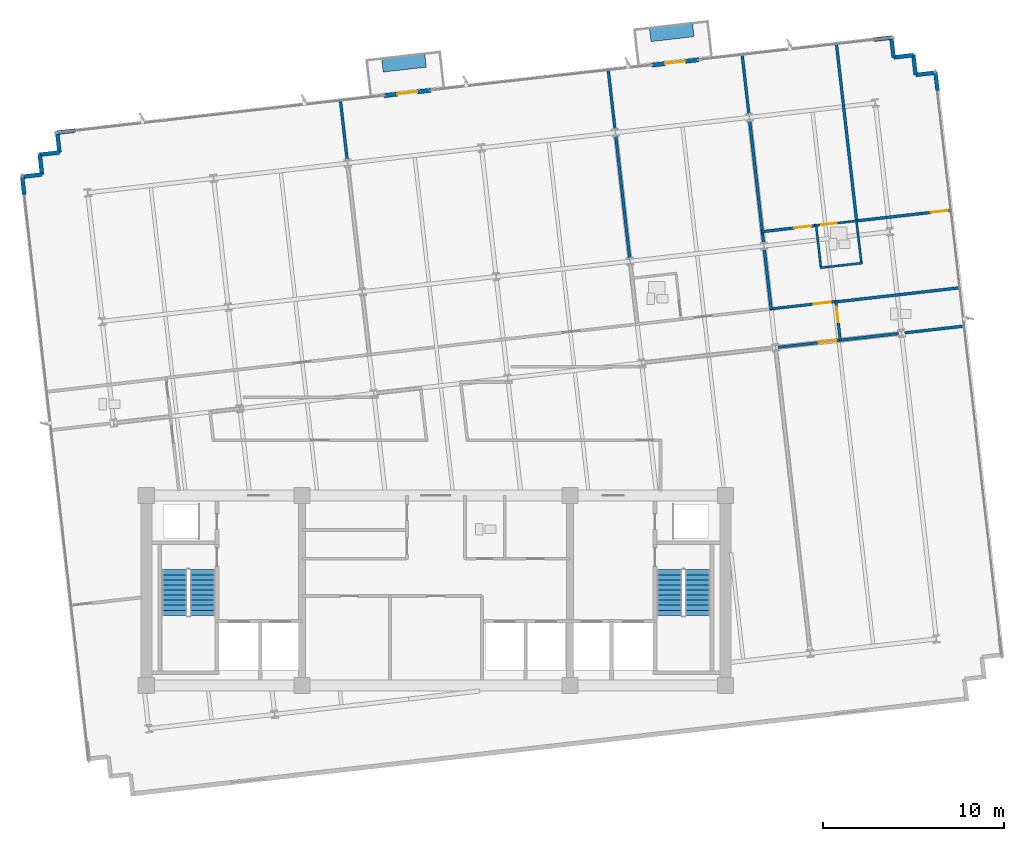
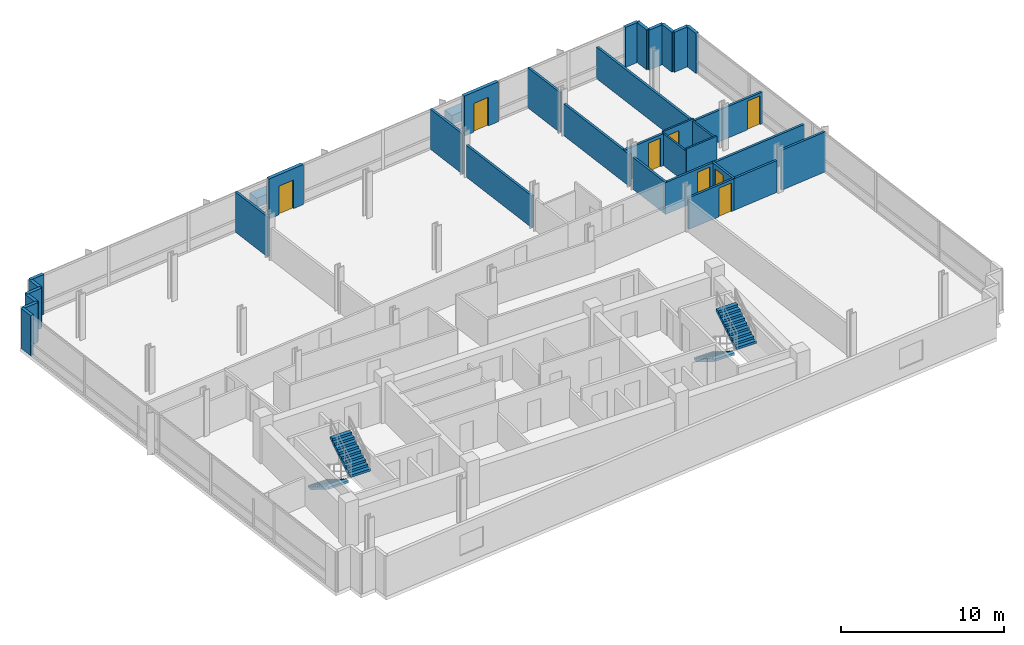
# One storey, part 10 of 14: 33 walls, 8 doors, 4 stair flights, 2 discrete accessories, 8 openings, 2 elements without a shape of their own.
"""IFC4 building model written with IfcOpenShell, lengths in metres."""

from ifc_helpers import new_model, si_unit, direction, frame, frame_2d, origin, origin_2d, place, context, subcontext, project, spatial, polyline, rectangle, outline, extrude, material, layer, layer_set, type_object, element, fill, aggregate, save


model = new_model("IFC4")

# Units and contexts
model_context = context("Model", 3, precision=1e-05, world=origin(), true_north=direction((0.0, 1.0)))
body_context = subcontext(model_context, "Body", "Model", "MODEL_VIEW")
ifc_project = project(units=[si_unit("LENGTHUNIT", "METRE"), si_unit("AREAUNIT", "SQUARE_METRE"), si_unit("VOLUMEUNIT", "CUBIC_METRE"), si_unit("PLANEANGLEUNIT", "RADIAN"), si_unit("MASSUNIT", "GRAM", prefix="KILO")], contexts=[model_context])

# Site, building, storey
site_placement = place(None, origin())
site = spatial("IfcSite", under=ifc_project, at=site_placement, CompositionType="ELEMENT")
building_placement = place(site_placement, origin())
building = spatial("IfcBuilding", under=site, at=building_placement, Name="Solmavex Isthmus Hotel", CompositionType="ELEMENT")
storey_placement = place(building_placement, frame((0.0, 0.0, 236.550048828125)))
storey = spatial("IfcBuildingStorey", under=building, at=storey_placement, Name="L64", CompositionType="ELEMENT", Elevation=236.550048828125)

# Wall, opening, door
ifc_material_1 = material(Name="Precast Concrete C40/50", Category="concrete")
ifc_layer_1 = layer(ifc_material_1, 0.25)
ifc_layer_set_1 = layer_set([ifc_layer_1], Name="Precast Concrete C40/50")
wall_type_1 = type_object("IfcWallType", Name="EW-TWR-250", PredefinedType="STANDARD", material=ifc_layer_set_1)
wall_1_placement = place(storey_placement, frame((-2.871337890625, 19.59326171875, 0.0), z_axis=(0.0, 0.0, 1.0), x_axis=(0.993577691497, 0.113151981689, 0.0)))
wall_1 = element("IfcWall", 1, at=wall_1_placement, inside=storey, type_object=wall_type_1, Name="Exterior Balcony Door Wall L64-2", PredefinedType="STANDARD", context=body_context, shape_type="SweptSolid", body=[
    extrude(rectangle(XDim=2.599853515625, YDim=0.239990234375, at=frame_2d((1.2998046875, 0.0))), origin(), (0.0, 0.0, 1.0), 3.0),
])
opening_1_placement = place(wall_1_placement, frame((0.75, 0.0, 0.0)))
opening_1 = element("IfcOpeningElement", 2, at=opening_1_placement, cuts=wall_1, Name="Opening ED-02", PredefinedType="OPENING", context=body_context, shape_type="SweptSolid", body=[
    extrude(rectangle(XDim=1.10009765625, YDim=2.14990234375, at=frame_2d((0.550048828125, 1.074951171875))), frame((0.0, 0.1298828125, 0.0), z_axis=(0.0, -1.0, 0.0), x_axis=(1.0, 0.0, 0.0)), (0.0, 0.0, 1.0), 0.260009765625),
])
ifc_material_2 = material(Name="Aluminium alloy 6063-T6", Category="aluminium")
door_type_1 = type_object("IfcDoorType", Name="EDR-BALC-1100", OperationType="NOTDEFINED", PredefinedType="DOOR", material=ifc_material_2)
door_1_placement = place(opening_1_placement, origin())
door_1 = element("IfcDoor", 3, at=door_1_placement, inside=storey, type_object=door_type_1, Name="Balcony & Terrace Glazed Door L64-2", OperationType="SINGLE_SWING_RIGHT", OverallHeight=2.14990234375, OverallWidth=1.10009765625, PredefinedType="DOOR", context=body_context, shape_type="SweptSolid", body=[
    extrude(rectangle(XDim=1.10009765625, YDim=2.14990234375, at=frame_2d((0.550048828125, 1.074951171875))), frame((0.0, 0.02490234375, 0.0), z_axis=(0.0, -1.0, 0.0), x_axis=(1.0, 0.0, 0.0)), (0.0, 0.0, 1.0), 0.050048828125),
])
fill(opening_1, door_1)

wall_2_placement = place(storey_placement, frame((11.9248046875, 21.279052734375, 0.0), z_axis=(0.0, 0.0, 1.0), x_axis=(0.993567130319, 0.113244680008, 0.0)))
wall_2 = element("IfcWall", 4, at=wall_2_placement, inside=storey, type_object=wall_type_1, Name="Exterior Balcony Door Wall L64-3", PredefinedType="STANDARD", context=body_context, shape_type="SweptSolid", body=[
    extrude(rectangle(XDim=2.60009765625, YDim=0.239990234375, at=frame_2d((1.300048828125, 0.0))), origin(), (0.0, 0.0, 1.0), 3.0),
])
opening_2_placement = place(wall_2_placement, frame((0.75, 0.0, 0.0)))
opening_2 = element("IfcOpeningElement", 5, at=opening_2_placement, cuts=wall_2, Name="Opening ED-02", PredefinedType="OPENING", context=body_context, shape_type="SweptSolid", body=[
    extrude(rectangle(XDim=1.10009765625, YDim=2.14990234375, at=frame_2d((0.550048828125, 1.074951171875))), frame((0.0, 0.1298828125, 0.0), z_axis=(0.0, -1.0, 0.0), x_axis=(1.0, 0.0, 0.0)), (0.0, 0.0, 1.0), 0.260009765625),
])
door_2_placement = place(opening_2_placement, origin())
door_2 = element("IfcDoor", 6, at=door_2_placement, inside=storey, type_object=door_type_1, Name="Balcony & Terrace Glazed Door L64-3", OperationType="SINGLE_SWING_LEFT", OverallHeight=2.14990234375, OverallWidth=1.10009765625, PredefinedType="DOOR", context=body_context, shape_type="SweptSolid", body=[
    extrude(rectangle(XDim=1.10009765625, YDim=2.14990234375, at=frame_2d((0.550048828125, 1.074951171875))), frame((0.0, 0.02490234375, 0.0), z_axis=(0.0, -1.0, 0.0), x_axis=(1.0, 0.0, 0.0)), (0.0, 0.0, 1.0), 0.050048828125),
])
fill(opening_2, door_2)

# Walls
wall_3_placement = place(storey_placement, frame((-22.74755859375, 14.128173828125, 0.0), z_axis=(0.0, 0.0, 1.0), x_axis=(-0.113191877531, 0.993573147212, 0.0)))
element("IfcWall", 7, at=wall_3_placement, inside=storey, type_object=wall_type_1, Name="Serrated Corner Facade Panel L64-07", PredefinedType="STANDARD", context=body_context, shape_type="SweptSolid", body=[
    extrude(rectangle(XDim=0.989990234375, YDim=0.219970703125, at=frame_2d((0.4951171875, 0.0))), origin(), (0.0, 0.0, 1.0), 3.0),
])
wall_4_placement = place(storey_placement, frame((-22.859619140625, 15.11181640625, 0.0), z_axis=(0.0, 0.0, 1.0), x_axis=(0.99357409499, 0.113183557839, 0.0)))
element("IfcWall", 8, at=wall_4_placement, inside=storey, type_object=wall_type_1, Name="Serrated Corner Facade Panel L64-08", PredefinedType="STANDARD", context=body_context, shape_type="SweptSolid", body=[
    extrude(rectangle(XDim=1.10009765625, YDim=0.219970703125, at=frame_2d((0.550048828125, 0.0))), origin(), (0.0, 0.0, 1.0), 3.0),
])
wall_5_placement = place(storey_placement, frame((-21.7666015625, 15.236328125, 0.0), z_axis=(0.0, 0.0, 1.0), x_axis=(-0.11320852056, 0.99357125103, 0.0)))
element("IfcWall", 9, at=wall_5_placement, inside=storey, type_object=wall_type_1, Name="Serrated Corner Facade Panel L64-09", PredefinedType="STANDARD", context=body_context, shape_type="SweptSolid", body=[
    extrude(rectangle(XDim=1.099853515625, YDim=0.219970703125, at=frame_2d((0.5498046875, 0.0))), origin(), (0.0, 0.0, 1.0), 3.0),
])
for number, where, z_axis, x_axis, name in (
    (10, (-21.89111328125, 16.3291015625, 0.0), (0.0, 0.0, 1.0), (0.99357409499, 0.113183557839, 0.0), "Serrated Corner Facade Panel L64-10"),
    (11, (-20.798095703125, 16.45361328125, 0.0), (0.0, 0.0, 1.0), (-0.113402635104, 0.993549114212, 0.0), "Serrated Corner Facade Panel L64-11"),
):
    element("IfcWall", number, at=place(storey_placement, frame(where, z_axis=z_axis, x_axis=x_axis)), inside=storey, type_object=wall_type_1, Name=name, PredefinedType="STANDARD", context=body_context, shape_type="SweptSolid", body=[
        extrude(rectangle(XDim=1.10009765625, YDim=0.219970703125, at=frame_2d((0.550048828125, 0.0))), origin(), (0.0, 0.0, 1.0), 3.0),
    ])
for number, where, z_axis, x_axis, name in (
    (12, (-20.9228515625, 17.546630859375, 0.0), (0.0, 0.0, 1.0), (0.993573147212, 0.113191877531, 0.0), "Serrated Corner Facade Panel L64-12"),
    (13, (24.175537109375, 22.684814453125, 0.0), (0.0, 0.0, 1.0), (0.993573147212, 0.113191877531, 0.0), "Serrated Corner Facade Panel L64-14"),
):
    element("IfcWall", number, at=place(storey_placement, frame(where, z_axis=z_axis, x_axis=x_axis)), inside=storey, type_object=wall_type_1, Name=name, PredefinedType="STANDARD", context=body_context, shape_type="SweptSolid", body=[
        extrude(rectangle(XDim=0.989990234375, YDim=0.219970703125, at=frame_2d((0.4951171875, 0.0))), origin(), (0.0, 0.0, 1.0), 3.0),
    ])
for number, where, z_axis, x_axis, name in (
    (14, (25.1591796875, 22.796875, 0.0), (0.0, 0.0, 1.0), (0.11320852056, -0.99357125103, 0.0), "Serrated Corner Facade Panel L64-15"),
    (15, (25.28369140625, 21.7041015625, 0.0), (0.0, 0.0, 1.0), (0.99357125103, 0.11320852056, 0.0), "Serrated Corner Facade Panel L64-16"),
):
    element("IfcWall", number, at=place(storey_placement, frame(where, z_axis=z_axis, x_axis=x_axis)), inside=storey, type_object=wall_type_1, Name=name, PredefinedType="STANDARD", context=body_context, shape_type="SweptSolid", body=[
        extrude(rectangle(XDim=1.099853515625, YDim=0.219970703125, at=frame_2d((0.5498046875, 0.0))), origin(), (0.0, 0.0, 1.0), 3.0),
    ])
wall_6_placement = place(storey_placement, frame((26.37646484375, 21.82861328125, 0.0), z_axis=(0.0, 0.0, 1.0), x_axis=(0.113402635104, -0.993549114212, 0.0)))
element("IfcWall", 16, at=wall_6_placement, inside=storey, type_object=wall_type_1, Name="Serrated Corner Facade Panel L64-17", PredefinedType="STANDARD", context=body_context, shape_type="SweptSolid", body=[
    extrude(rectangle(XDim=1.10009765625, YDim=0.219970703125, at=frame_2d((0.550048828125, 0.0))), origin(), (0.0, 0.0, 1.0), 3.0),
])
wall_7_placement = place(storey_placement, frame((26.501220703125, 20.735595703125, 0.0), z_axis=(0.0, 0.0, 1.0), x_axis=(0.99357125103, 0.11320852056, 0.0)))
element("IfcWall", 17, at=wall_7_placement, inside=storey, type_object=wall_type_1, Name="Serrated Corner Facade Panel L64-18", PredefinedType="STANDARD", context=body_context, shape_type="SweptSolid", body=[
    extrude(rectangle(XDim=1.099853515625, YDim=0.219970703125, at=frame_2d((0.5498046875, 0.0))), origin(), (0.0, 0.0, 1.0), 3.0),
])
wall_8_placement = place(storey_placement, frame((27.593994140625, 20.860107421875, 0.0), z_axis=(0.0, 0.0, 1.0), x_axis=(0.113191877531, -0.993573147212, 0.0)))
element("IfcWall", 18, at=wall_8_placement, inside=storey, type_object=wall_type_1, Name="Serrated Corner Facade Panel L64-19", PredefinedType="STANDARD", context=body_context, shape_type="SweptSolid", body=[
    extrude(rectangle(XDim=0.989990234375, YDim=0.219970703125, at=frame_2d((0.4951171875, 0.0))), origin(), (0.0, 0.0, 1.0), 3.0),
])
ifc_material_3 = material(Name="Gypsum plasterboard lining", Category="gypsum")
ifc_layer_2 = layer(ifc_material_3, 0.159912109375)
ifc_layer_set_2 = layer_set([ifc_layer_2], Name="Gypsum plasterboard lining")
wall_type_2 = type_object("IfcWallType", Name="IW-COMP-160", PredefinedType="PARTITIONING", material=ifc_layer_set_2)
for number, where, z_axis, x_axis, name in (
    (19, (-5.283447265625, 19.358642578125, 0.0), (0.0, 0.0, 1.0), (0.113252098743, -0.993566284719, 0.0), "Interior Partition Wall W-L64-P022"),
    (20, (9.512939453125, 21.04443359375, 0.0), (0.0, 0.0, 1.0), (0.113180015629, -0.993574498496, 0.0), "Interior Partition Wall W-L64-P026"),
):
    element("IfcWall", number, at=place(storey_placement, frame(where, z_axis=z_axis, x_axis=x_axis)), inside=storey, type_object=wall_type_2, Name=name, PredefinedType="PARTITIONING", context=body_context, shape_type="SweptSolid", body=[
        extrude(rectangle(XDim=3.343505859375, YDim=0.159912109375, at=frame_2d((1.671875, 0.0))), origin(), (0.0, 0.0, 1.0), 3.0),
    ])
wall_9_placement = place(storey_placement, frame((9.931396484375, 17.371826171875, 0.0), z_axis=(0.0, 0.0, 1.0), x_axis=(0.113217453743, -0.993570233133, 0.0)))
element("IfcWall", 21, at=wall_9_placement, inside=storey, type_object=wall_type_2, Name="Interior Partition Wall W-L64-P027", PredefinedType="PARTITIONING", context=body_context, shape_type="SweptSolid", body=[
    extrude(rectangle(XDim=6.799072265625, YDim=0.159912109375, at=frame_2d((3.3994140625, 0.0))), origin(), (0.0, 0.0, 1.0), 2.38232421875),
])
wall_10_placement = place(storey_placement, frame((17.32958984375, 18.21484375, 0.0), z_axis=(0.0, 0.0, 1.0), x_axis=(0.113177968069, -0.993574731736, 0.0)))
element("IfcWall", 22, at=wall_10_placement, inside=storey, type_object=wall_type_2, Name="Interior Partition Wall W-L64-P031", PredefinedType="PARTITIONING", context=body_context, shape_type="SweptSolid", body=[
    extrude(rectangle(XDim=6.79931640625, YDim=0.159912109375, at=frame_2d((3.399658203125, 0.0))), origin(), (0.0, 0.0, 1.0), 2.38232421875),
])
wall_11_placement = place(storey_placement, frame((18.13916015625, 11.108642578125, 0.0), z_axis=(0.0, 0.0, 1.0), x_axis=(0.113229088195, -0.993568907317, 0.0)))
element("IfcWall", 23, at=wall_11_placement, inside=storey, type_object=wall_type_2, Name="Interior Partition Wall W-L64-P032", PredefinedType="PARTITIONING", context=body_context, shape_type="SweptSolid", body=[
    extrude(rectangle(XDim=3.361572265625, YDim=0.159912109375, at=frame_2d((1.6806640625, 0.0))), origin(), (0.0, 0.0, 1.0), 2.38232421875),
])
wall_12_placement = place(storey_placement, frame((16.9111328125, 21.887451171875, 0.0), z_axis=(0.0, 0.0, 1.0), x_axis=(0.113171804991, -0.993575433752, 0.0)))
element("IfcWall", 24, at=wall_12_placement, inside=storey, type_object=wall_type_2, Name="Interior Partition Wall W-L64-P033", PredefinedType="PARTITIONING", context=body_context, shape_type="SweptSolid", body=[
    extrude(rectangle(XDim=3.34375, YDim=0.159912109375, at=frame_2d((1.671875, 0.0))), origin(), (0.0, 0.0, 1.0), 3.0),
])

# Wall, opening, door
wall_13_placement = place(storey_placement, frame((17.98876953125, 12.07421875, 0.0), z_axis=(0.0, 0.0, 1.0), x_axis=(0.99356692764, 0.113246458222, 0.0)))
wall_13 = element("IfcWall", 25, at=wall_13_placement, inside=storey, type_object=wall_type_2, Name="Interior Partition Wall W-L64-P034", PredefinedType="PARTITIONING", context=body_context, shape_type="SweptSolid", body=[
    extrude(rectangle(XDim=3.07421875, YDim=0.159912109375, at=frame_2d((1.537109375, 0.0))), origin(), (0.0, 0.0, 1.0), 2.38232421875),
])
opening_3_placement = place(wall_13_placement, frame((1.81640625, 0.0, 0.0)))
opening_3 = element("IfcOpeningElement", 26, at=opening_3_placement, cuts=wall_13, Name="Opening ID-C095", PredefinedType="OPENING", context=body_context, shape_type="SweptSolid", body=[
    extrude(rectangle(XDim=0.949951171875, YDim=2.14990234375, at=frame_2d((0.47509765625, 1.074951171875))), frame((0.0, 0.08984375, 0.0), z_axis=(0.0, -1.0, 0.0), x_axis=(1.0, 0.0, 0.0)), (0.0, 0.0, 1.0), 0.179931640625),
])
ifc_material_4 = material(Name="Hardwood timber", Category="wood")
door_type_2 = type_object("IfcDoorType", Name="IDR-FD60-0950", OperationType="NOTDEFINED", PredefinedType="DOOR", material=ifc_material_4)
door_3_placement = place(opening_3_placement, origin())
door_3 = element("IfcDoor", 27, at=door_3_placement, inside=storey, type_object=door_type_2, Name="Ambassador Panorama Suite Master Bedroom Door L64-06", OperationType="SINGLE_SWING_RIGHT", OverallHeight=2.14990234375, OverallWidth=0.949951171875, PredefinedType="DOOR", context=body_context, shape_type="SweptSolid", body=[
    extrude(rectangle(XDim=0.949951171875, YDim=2.14990234375, at=frame_2d((0.47509765625, 1.074951171875))), frame((0.0, 0.02490234375, 0.0), z_axis=(0.0, -1.0, 0.0), x_axis=(1.0, 0.0, 0.0)), (0.0, 0.0, 1.0), 0.050048828125),
])
fill(opening_3, door_3)

wall_14_placement = place(storey_placement, frame((23.189208984375, 12.666748046875, 0.0), z_axis=(0.0, 0.0, 1.0), x_axis=(0.993568324639, 0.113234200993, 0.0)))
wall_14 = element("IfcWall", 28, at=wall_14_placement, inside=storey, type_object=wall_type_2, Name="Interior Partition Wall W-L64-P035", PredefinedType="PARTITIONING", context=body_context, shape_type="SweptSolid", body=[
    extrude(rectangle(XDim=5.334228515625, YDim=0.159912109375, at=frame_2d((2.6669921875, 0.0))), origin(), (0.0, 0.0, 1.0), 2.367431640625),
])
opening_4_placement = place(wall_14_placement, frame((4.174072265625, 0.0, 0.0)))
opening_4 = element("IfcOpeningElement", 29, at=opening_4_placement, cuts=wall_14, Name="Opening ID-C095", PredefinedType="OPENING", context=body_context, shape_type="SweptSolid", body=[
    extrude(rectangle(XDim=0.949951171875, YDim=2.14990234375, at=frame_2d((0.47509765625, 1.074951171875))), frame((0.0, 0.08984375, 0.0), z_axis=(0.0, -1.0, 0.0), x_axis=(1.0, 0.0, 0.0)), (0.0, 0.0, 1.0), 0.179931640625),
])
door_4_placement = place(opening_4_placement, origin())
door_4 = element("IfcDoor", 30, at=door_4_placement, inside=storey, type_object=door_type_2, Name="Ambassador Panorama Suite Panorama Sitting Study Door L64-07", OperationType="SINGLE_SWING_LEFT", OverallHeight=2.14990234375, OverallWidth=0.949951171875, PredefinedType="DOOR", context=body_context, shape_type="SweptSolid", body=[
    extrude(rectangle(XDim=0.949951171875, YDim=2.14990234375, at=frame_2d((0.47509765625, 1.074951171875))), frame((0.0, 0.02490234375, 0.0), z_axis=(0.0, -1.0, 0.0), x_axis=(1.0, 0.0, 0.0)), (0.0, 0.0, 1.0), 0.050048828125),
])
fill(opening_4, door_4)

# Walls
wall_15_placement = place(storey_placement, frame((28.977783203125, 8.98046875, 0.0), z_axis=(0.0, 0.0, 1.0), x_axis=(-0.993571800428, -0.113203698681, 0.0)))
element("IfcWall", 31, at=wall_15_placement, inside=storey, type_object=wall_type_2, Name="Interior Partition Wall W-L64-P039", PredefinedType="PARTITIONING", context=body_context, shape_type="SweptSolid", body=[
    extrude(rectangle(XDim=6.968017578125, YDim=0.159912109375, at=frame_2d((3.48388671875, 0.0))), origin(), (0.0, 0.0, 1.0), 2.367431640625),
])
wall_16_placement = place(storey_placement, frame((22.121337890625, 22.48095703125, 0.0), z_axis=(0.0, 0.0, 1.0), x_axis=(0.113204804788, -0.993571674401, 0.0)))
element("IfcWall", 32, at=wall_16_placement, inside=storey, type_object=wall_type_2, Name="Interior Partition Wall W-L64-P040", PredefinedType="PARTITIONING", context=body_context, shape_type="SweptSolid", body=[
    extrude(rectangle(XDim=9.911865234375, YDim=0.159912109375, at=frame_2d((4.9560546875, 0.0))), origin(), (0.0, 0.0, 1.0), 2.367431640625),
])
wall_17_placement = place(storey_placement, frame((25.546142578125, 6.44580078125, 0.0), z_axis=(0.0, 0.0, 1.0), x_axis=(-0.993568592225, -0.113231853041, 0.0)))
element("IfcWall", 33, at=wall_17_placement, inside=storey, type_object=wall_type_2, Name="Interior Partition Wall W-L64-P044", PredefinedType="PARTITIONING", context=body_context, shape_type="SweptSolid", body=[
    extrude(rectangle(XDim=3.281494140625, YDim=0.159912109375, at=frame_2d((1.640625, 0.0))), origin(), (0.0, 0.0, 1.0), 2.38232421875),
])
wall_18_placement = place(storey_placement, frame((29.21875, 6.864013671875, 0.0), z_axis=(0.0, 0.0, 1.0), x_axis=(-0.993574498496, -0.113180015629, 0.0)))
element("IfcWall", 34, at=wall_18_placement, inside=storey, type_object=wall_type_2, Name="Interior Partition Wall W-L64-P045", PredefinedType="PARTITIONING", context=body_context, shape_type="SweptSolid", body=[
    extrude(rectangle(XDim=3.343505859375, YDim=0.159912109375, at=frame_2d((1.671875, 0.0))), origin(), (0.0, 0.0, 1.0), 3.0),
])

# Wall, opening, door
ifc_layer_3 = layer(ifc_material_3, 0.14990234375)
ifc_layer_set_3 = layer_set([ifc_layer_3], Name="Gypsum plasterboard lining")
wall_type_3 = type_object("IfcWallType", Name="IW-CORR-150", PredefinedType="PARTITIONING", material=ifc_layer_set_3)
wall_19_placement = place(storey_placement, frame((18.43359375, 7.79931640625, 0.0), z_axis=(0.0, 0.0, 1.0), x_axis=(0.993578468541, 0.11314515832, 0.0)))
wall_19 = element("IfcWall", 35, at=wall_19_placement, inside=storey, type_object=wall_type_3, Name="Interior Partition Wall W-L64-P005", PredefinedType="PARTITIONING", context=body_context, shape_type="SweptSolid", body=[
    extrude(rectangle(XDim=3.72216796875, YDim=0.14990234375, at=frame_2d((1.861083984375, 0.0))), origin(), (0.0, 0.0, 1.0), 2.38232421875),
])
opening_5_placement = place(wall_19_placement, frame((2.456787109375, 0.0, 0.0)))
opening_5 = element("IfcOpeningElement", 36, at=opening_5_placement, cuts=wall_19, Name="Opening ID-C095", PredefinedType="OPENING", context=body_context, shape_type="SweptSolid", body=[
    extrude(rectangle(XDim=0.949951171875, YDim=2.14990234375, at=frame_2d((0.47509765625, 1.074951171875))), frame((0.0, 0.0849609375, 0.0), z_axis=(0.0, -1.0, 0.0), x_axis=(1.0, 0.0, 0.0)), (0.0, 0.0, 1.0), 0.169921875),
])
door_5_placement = place(opening_5_placement, origin())
door_5 = element("IfcDoor", 37, at=door_5_placement, inside=storey, type_object=door_type_2, Name="Ambassador Panorama Suite Living Salon Door L64-05", OperationType="SINGLE_SWING_LEFT", OverallHeight=2.14990234375, OverallWidth=0.949951171875, PredefinedType="DOOR", context=body_context, shape_type="SweptSolid", body=[
    extrude(rectangle(XDim=0.949951171875, YDim=2.14990234375, at=frame_2d((0.47509765625, 1.074951171875))), frame((0.0, 0.02490234375, 0.0), z_axis=(0.0, -1.0, 0.0), x_axis=(1.0, 0.0, 0.0)), (0.0, 0.0, 1.0), 0.050048828125),
])
fill(opening_5, door_5)

wall_20_placement = place(storey_placement, frame((22.08984375, 8.23583984375, 0.0), z_axis=(0.0, 0.0, 1.0), x_axis=(0.113122854389, -0.993581008179, 0.0)))
wall_20 = element("IfcWall", 38, at=wall_20_placement, inside=storey, type_object=wall_type_3, Name="Interior Partition Wall W-L64-P007", PredefinedType="PARTITIONING", context=body_context, shape_type="SweptSolid", body=[
    extrude(rectangle(XDim=2.2099609375, YDim=0.14990234375, at=frame_2d((1.10498046875, 0.0))), origin(), (0.0, 0.0, 1.0), 2.38232421875),
])
opening_6_placement = place(wall_20_placement, frame((0.322265625, 0.0, 0.0)))
opening_6 = element("IfcOpeningElement", 39, at=opening_6_placement, cuts=wall_20, Name="Opening ID-R085", PredefinedType="OPENING", context=body_context, shape_type="SweptSolid", body=[
    extrude(rectangle(XDim=0.85009765625, YDim=2.050048828125, at=frame_2d((0.425048828125, 1.02490234375))), frame((0.0, 0.0849609375, 0.0), z_axis=(0.0, -1.0, 0.0), x_axis=(1.0, 0.0, 0.0)), (0.0, 0.0, 1.0), 0.169921875),
])
ifc_material_5 = material(Name="Steel ASTM A500 Grade C", Category="steel")
door_type_3 = type_object("IfcDoorType", Name="IDR-FD60-0850", OperationType="NOTDEFINED", PredefinedType="DOOR", material=ifc_material_5)
door_6_placement = place(opening_6_placement, frame((0.85009765625, 0.0, 0.0), z_axis=(0.0, 0.0, 1.0), x_axis=(-1.0, 0.0, 0.0)))
door_6 = element("IfcDoor", 40, at=door_6_placement, inside=storey, type_object=door_type_3, Name="Public Restroom WC Door L64-10", OperationType="SINGLE_SWING_RIGHT", OverallHeight=2.050048828125, OverallWidth=0.85009765625, PredefinedType="DOOR", context=body_context, shape_type="SweptSolid", body=[
    extrude(rectangle(XDim=0.85009765625, YDim=2.050048828125, at=frame_2d((0.425048828125, 1.02490234375))), frame((0.0, 0.02490234375, 0.0), z_axis=(0.0, -1.0, 0.0), x_axis=(1.0, 0.0, 0.0)), (0.0, 0.0, 1.0), 0.050048828125),
])
fill(opening_6, door_6)

wall_21_placement = place(storey_placement, frame((22.375244140625, 6.08447265625, 0.0), z_axis=(0.0, 0.0, 1.0), x_axis=(-0.993568982909, -0.113228424882, 0.0)))
wall_21 = element("IfcWall", 41, at=wall_21_placement, inside=storey, type_object=wall_type_3, Name="Interior Partition Wall W-L64-P021", PredefinedType="PARTITIONING", context=body_context, shape_type="SweptSolid", body=[
    extrude(rectangle(XDim=3.505859375, YDim=0.14990234375, at=frame_2d((1.7529296875, 0.0))), origin(), (0.0, 0.0, 1.0), 2.38232421875),
])
opening_7_placement = place(wall_21_placement, frame((0.270751953125, 0.0, 0.0)))
opening_7 = element("IfcOpeningElement", 42, at=opening_7_placement, cuts=wall_21, Name="Opening ID-C095", PredefinedType="OPENING", context=body_context, shape_type="SweptSolid", body=[
    extrude(rectangle(XDim=0.949951171875, YDim=2.14990234375, at=frame_2d((0.47509765625, 1.074951171875))), frame((0.0, 0.0849609375, 0.0), z_axis=(0.0, -1.0, 0.0), x_axis=(1.0, 0.0, 0.0)), (0.0, 0.0, 1.0), 0.169921875),
])
door_7_placement = place(opening_7_placement, origin())
door_7 = element("IfcDoor", 43, at=door_7_placement, inside=storey, type_object=door_type_2, Name="Executive Meeting Room Door L64-15", OperationType="SINGLE_SWING_LEFT", OverallHeight=2.14990234375, OverallWidth=0.949951171875, PredefinedType="DOOR", context=body_context, shape_type="SweptSolid", body=[
    extrude(rectangle(XDim=0.949951171875, YDim=2.14990234375, at=frame_2d((0.47509765625, 1.074951171875))), frame((0.0, 0.02490234375, 0.0), z_axis=(0.0, -1.0, 0.0), x_axis=(1.0, 0.0, 0.0)), (0.0, 0.0, 1.0), 0.050048828125),
])
fill(opening_7, door_7)

# Walls
ifc_layer_4 = layer(ifc_material_3, 0.1201171875)
ifc_layer_set_4 = layer_set([ifc_layer_4], Name="Gypsum plasterboard lining")
wall_type_4 = type_object("IfcWallType", Name="IW-PART-120", PredefinedType="PARTITIONING", material=ifc_layer_set_4)
wall_22_placement = place(storey_placement, frame((20.998779296875, 12.45751953125, 0.0), z_axis=(0.0, 0.0, 1.0), x_axis=(0.113232053563, -0.993568569373, 0.0)))
element("IfcWall", 44, at=wall_22_placement, inside=storey, type_object=wall_type_4, Name="Interior Partition Wall W-L64-P036", PredefinedType="PARTITIONING", context=body_context, shape_type="SweptSolid", body=[
    extrude(rectangle(XDim=2.429931640625, YDim=0.1201171875, at=frame_2d((1.21484375, 0.0))), origin(), (0.0, 0.0, 1.0), 2.38232421875),
])
wall_23_placement = place(storey_placement, frame((21.229736328125, 10.078369140625, 0.0), z_axis=(0.0, 0.0, 1.0), x_axis=(0.99357583204, 0.113168308226, 0.0)))
element("IfcWall", 45, at=wall_23_placement, inside=storey, type_object=wall_type_4, Name="Interior Partition Wall W-L64-P037", PredefinedType="PARTITIONING", context=body_context, shape_type="SweptSolid", body=[
    extrude(rectangle(XDim=2.329833984375, YDim=0.1201171875, at=frame_2d((1.1650390625, 0.0))), origin(), (0.0, 0.0, 1.0), 2.528076171875),
])
wall_24_placement = place(storey_placement, frame((23.509521484375, 10.2978515625, 0.0), z_axis=(0.0, 0.0, 1.0), x_axis=(-0.117342526496, 0.993091502066, 0.0)))
element("IfcWall", 46, at=wall_24_placement, inside=storey, type_object=wall_type_4, Name="Interior Partition Wall W-L64-P038", PredefinedType="PARTITIONING", context=body_context, shape_type="SweptSolid", body=[
    extrude(rectangle(XDim=2.43017578125, YDim=0.1201171875, at=frame_2d((1.215087890625, 0.0))), origin(), (0.0, 0.0, 1.0), 2.38232421875),
])

# Wall, opening, door
wall_25_placement = place(storey_placement, frame((23.278564453125, 12.677001953125, 0.0), z_axis=(0.0, 0.0, 1.0), x_axis=(-0.993569776601, -0.113221460091, 0.0)))
wall_25 = element("IfcWall", 47, at=wall_25_placement, inside=storey, type_object=wall_type_4, Name="Interior Partition Wall W-L64-P041", PredefinedType="PARTITIONING", context=body_context, shape_type="SweptSolid", body=[
    extrude(rectangle(XDim=2.371826171875, YDim=0.1201171875, at=frame_2d((1.18603515625, 0.0))), origin(), (0.0, 0.0, 1.0), 2.528076171875),
])
opening_8_placement = place(wall_25_placement, frame((1.14599609375, 0.0, 0.0)))
opening_8 = element("IfcOpeningElement", 48, at=opening_8_placement, cuts=wall_25, Name="Opening ID-U085", PredefinedType="OPENING", context=body_context, shape_type="SweptSolid", body=[
    extrude(rectangle(XDim=0.85009765625, YDim=2.10009765625, at=frame_2d((0.425048828125, 1.050048828125))), frame((0.0, 0.070068359375, 0.0), z_axis=(0.0, -1.0, 0.0), x_axis=(1.0, 0.0, 0.0)), (0.0, 0.0, 1.0), 0.14013671875),
])
door_type_4 = type_object("IfcDoorType", Name="IDR-UNR-0850", OperationType="NOTDEFINED", PredefinedType="DOOR", material=ifc_material_4)
door_8_placement = place(opening_8_placement, frame((0.85009765625, 0.0, 0.0), z_axis=(0.0, 0.0, 1.0), x_axis=(-1.0, 0.0, 0.0)))
door_8 = element("IfcDoor", 49, at=door_8_placement, inside=storey, type_object=door_type_4, Name="En-suite Bathroom Door L64-08", OperationType="SINGLE_SWING_RIGHT", OverallHeight=2.10009765625, OverallWidth=0.85009765625, PredefinedType="DOOR", context=body_context, shape_type="SweptSolid", body=[
    extrude(rectangle(XDim=0.85009765625, YDim=2.10009765625, at=frame_2d((0.425048828125, 1.050048828125))), frame((0.0, 0.02490234375, 0.0), z_axis=(0.0, -1.0, 0.0), x_axis=(1.0, 0.0, 0.0)), (0.0, 0.0, 1.0), 0.050048828125),
])
fill(opening_8, door_8)

# Stair, stair flights
ifc_material_6 = material(Name="Concrete C40/50", Category="concrete")
stair_type_1 = type_object("IfcStairType", Name="STR-ST-1", PredefinedType="HALF_TURN_STAIR", material=ifc_material_6)
stair_1_placement = place(storey_placement, origin())
stair_1 = element("IfcStair", 50, at=stair_1_placement, inside=storey, type_object=stair_type_1, Name="L64 Protected Exit Stair ST-1", PredefinedType="HALF_TURN_STAIR")
stair_flight_type_1 = type_object("IfcStairFlightType", Name="SFL-ST-1", PredefinedType="STRAIGHT", material=ifc_material_6)
stair_flight_1_placement = place(storey_placement, frame((-14.449951171875, -6.60009765625, 0.0), z_axis=(0.0, 0.0, 1.0), x_axis=(0.0, -1.0, 0.0)))
stair_flight_1 = element("IfcStairFlight", 51, at=stair_flight_1_placement, type_object=stair_flight_type_1, Name="ST-1 flight 1", NumberOfRisers=10, NumberOfTreads=9, PredefinedType="STRAIGHT", RiserHeight=0.1725, TreadLength=0.28, context=body_context, shape_type="SweptSolid", body=[
    extrude(outline(polyline([(0.0, 0.0), (0.0, 0.172607421875), (0.280029296875, 0.172607421875), (0.280029296875, 0.344970703125), (0.56005859375, 0.344970703125), (0.56005859375, 0.517578125), (0.840087890625, 0.517578125), (0.840087890625, 0.68994140625), (1.1201171875, 0.68994140625), (1.1201171875, 0.862548828125), (1.39990234375, 0.862548828125), (1.39990234375, 1.034912109375), (1.679931640625, 1.034912109375), (1.679931640625, 1.20751953125), (1.9599609375, 1.20751953125), (1.9599609375, 1.3798828125), (2.239990234375, 1.3798828125), (2.239990234375, 1.552490234375), (2.52001953125, 1.552490234375), (2.52001953125, 1.72509765625), (2.52001953125, 1.37646484375), (0.285888671875, 0.0), (0.0, 0.0)])), frame((0.0, 0.699951171875, 0.0), z_axis=(0.0, -1.0, 0.0), x_axis=(1.0, 0.0, 0.0)), (0.0, 0.0, 1.0), 1.39990234375),
])
stair_flight_2_placement = place(storey_placement, frame((-12.89990234375, -9.1201171875, 1.724853515625), z_axis=(0.0, 0.0, 1.0), x_axis=(0.0, 1.0, 0.0)))
stair_flight_2 = element("IfcStairFlight", 52, at=stair_flight_2_placement, type_object=stair_flight_type_1, Name="ST-1 flight 2", NumberOfRisers=10, NumberOfTreads=9, PredefinedType="STRAIGHT", RiserHeight=0.1725, TreadLength=0.28, context=body_context, shape_type="SweptSolid", body=[
    extrude(outline(polyline([(0.0, 0.0), (0.0, 0.172607421875), (0.280029296875, 0.172607421875), (0.280029296875, 0.344970703125), (0.56005859375, 0.344970703125), (0.56005859375, 0.517578125), (0.840087890625, 0.517578125), (0.840087890625, 0.68994140625), (1.1201171875, 0.68994140625), (1.1201171875, 0.862548828125), (1.39990234375, 0.862548828125), (1.39990234375, 1.034912109375), (1.679931640625, 1.034912109375), (1.679931640625, 1.20751953125), (1.9599609375, 1.20751953125), (1.9599609375, 1.3798828125), (2.239990234375, 1.3798828125), (2.239990234375, 1.552490234375), (2.52001953125, 1.552490234375), (2.52001953125, 1.72509765625), (2.52001953125, 1.37646484375), (0.285888671875, 0.0), (0.0, 0.0)])), frame((0.0, 0.699951171875, 0.0), z_axis=(0.0, -1.0, 0.0), x_axis=(1.0, 0.0, 0.0)), (0.0, 0.0, 1.0), 1.39990234375),
])
aggregate(stair_1, [stair_flight_1, stair_flight_2])

stair_type_2 = type_object("IfcStairType", Name="STR-ST-2", PredefinedType="HALF_TURN_STAIR", material=ifc_material_6)
stair_2_placement = place(storey_placement, origin())
stair_2 = element("IfcStair", 53, at=stair_2_placement, inside=storey, type_object=stair_type_2, Name="L64 Protected Exit Stair ST-2", PredefinedType="HALF_TURN_STAIR")
stair_flight_type_2 = type_object("IfcStairFlightType", Name="SFL-ST-2", PredefinedType="STRAIGHT", material=ifc_material_6)
stair_flight_3_placement = place(storey_placement, frame((12.89990234375, -6.60009765625, 0.0), z_axis=(0.0, 0.0, 1.0), x_axis=(0.0, -1.0, 0.0)))
stair_flight_3 = element("IfcStairFlight", 54, at=stair_flight_3_placement, type_object=stair_flight_type_2, Name="ST-2 flight 1", NumberOfRisers=10, NumberOfTreads=9, PredefinedType="STRAIGHT", RiserHeight=0.1725, TreadLength=0.28, context=body_context, shape_type="SweptSolid", body=[
    extrude(outline(polyline([(0.0, 0.0), (0.0, 0.172607421875), (0.280029296875, 0.172607421875), (0.280029296875, 0.344970703125), (0.56005859375, 0.344970703125), (0.56005859375, 0.517578125), (0.840087890625, 0.517578125), (0.840087890625, 0.68994140625), (1.1201171875, 0.68994140625), (1.1201171875, 0.862548828125), (1.39990234375, 0.862548828125), (1.39990234375, 1.034912109375), (1.679931640625, 1.034912109375), (1.679931640625, 1.20751953125), (1.9599609375, 1.20751953125), (1.9599609375, 1.3798828125), (2.239990234375, 1.3798828125), (2.239990234375, 1.552490234375), (2.52001953125, 1.552490234375), (2.52001953125, 1.72509765625), (2.52001953125, 1.37646484375), (0.285888671875, 0.0), (0.0, 0.0)])), frame((0.0, 0.699951171875, 0.0), z_axis=(0.0, -1.0, 0.0), x_axis=(1.0, 0.0, 0.0)), (0.0, 0.0, 1.0), 1.39990234375),
])
stair_flight_4_placement = place(storey_placement, frame((14.449951171875, -9.1201171875, 1.724853515625), z_axis=(0.0, 0.0, 1.0), x_axis=(0.0, 1.0, 0.0)))
stair_flight_4 = element("IfcStairFlight", 55, at=stair_flight_4_placement, type_object=stair_flight_type_2, Name="ST-2 flight 2", NumberOfRisers=10, NumberOfTreads=9, PredefinedType="STRAIGHT", RiserHeight=0.1725, TreadLength=0.28, context=body_context, shape_type="SweptSolid", body=[
    extrude(outline(polyline([(0.0, 0.0), (0.0, 0.172607421875), (0.280029296875, 0.172607421875), (0.280029296875, 0.344970703125), (0.56005859375, 0.344970703125), (0.56005859375, 0.517578125), (0.840087890625, 0.517578125), (0.840087890625, 0.68994140625), (1.1201171875, 0.68994140625), (1.1201171875, 0.862548828125), (1.39990234375, 0.862548828125), (1.39990234375, 1.034912109375), (1.679931640625, 1.034912109375), (1.679931640625, 1.20751953125), (1.9599609375, 1.20751953125), (1.9599609375, 1.3798828125), (2.239990234375, 1.3798828125), (2.239990234375, 1.552490234375), (2.52001953125, 1.552490234375), (2.52001953125, 1.72509765625), (2.52001953125, 1.37646484375), (0.285888671875, 0.0), (0.0, 0.0)])), frame((0.0, 0.699951171875, 0.0), z_axis=(0.0, -1.0, 0.0), x_axis=(1.0, 0.0, 0.0)), (0.0, 0.0, 1.0), 1.39990234375),
])
aggregate(stair_2, [stair_flight_3, stair_flight_4])

# Discrete accessories
discrete_accessory_type = type_object("IfcDiscreteAccessoryType", Name="ACC-PLN-BALC", PredefinedType="USERDEFINED", material=ifc_material_1)
for number, where, z_axis, x_axis, name in (
    (56, (-1.768798828125, 21.399658203125, 0.0), (0.0, 0.0, 1.0), (0.993571855677, 0.113203213768, 0.0), "Tree-Balcony Architectural Planter L64-B1"),
    (57, (13.027587890625, 23.08544921875, 0.0), (0.0, 0.0, 1.0), (0.993571855677, 0.113203213768, 0.0), "Tree-Balcony Architectural Planter L64-B2"),
):
    element("IfcDiscreteAccessory", number, at=place(storey_placement, frame(where, z_axis=z_axis, x_axis=x_axis)), inside=storey, type_object=discrete_accessory_type, Name=name, ObjectType="PLANTER", PredefinedType="USERDEFINED", context=body_context, shape_type="SweptSolid", body=[
        extrude(rectangle(XDim=2.39990234375, YDim=0.75, at=origin_2d()), origin(), (0.0, 0.0, 1.0), 0.699951171875),
    ])

save(model, "model.ifc")
